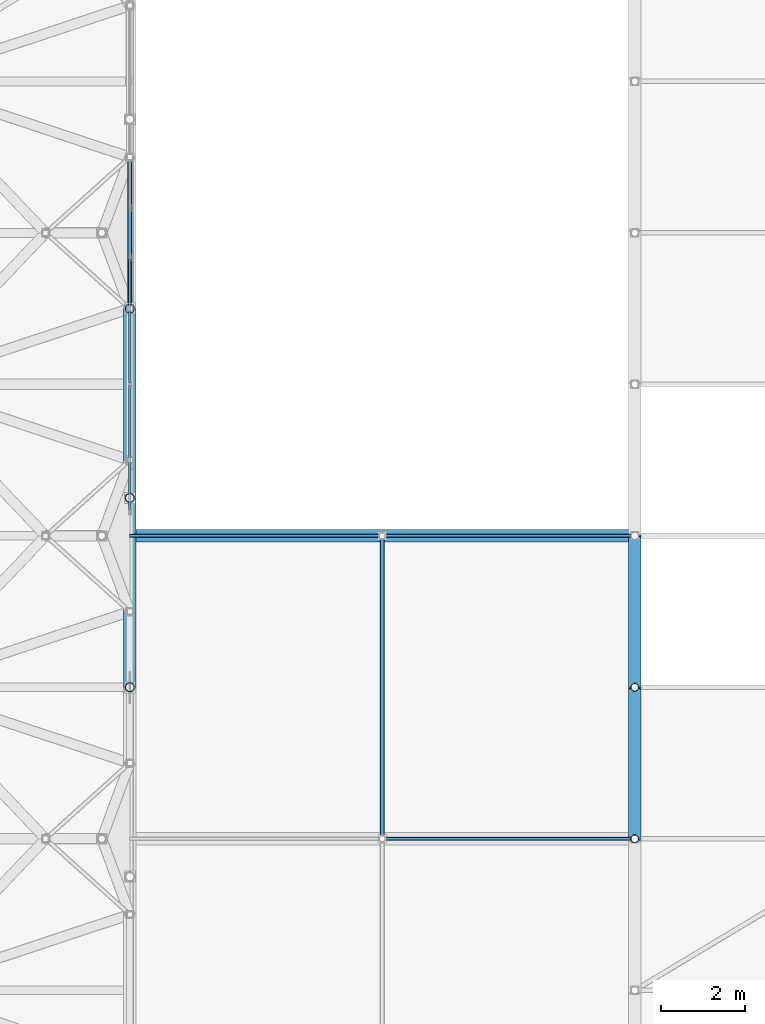
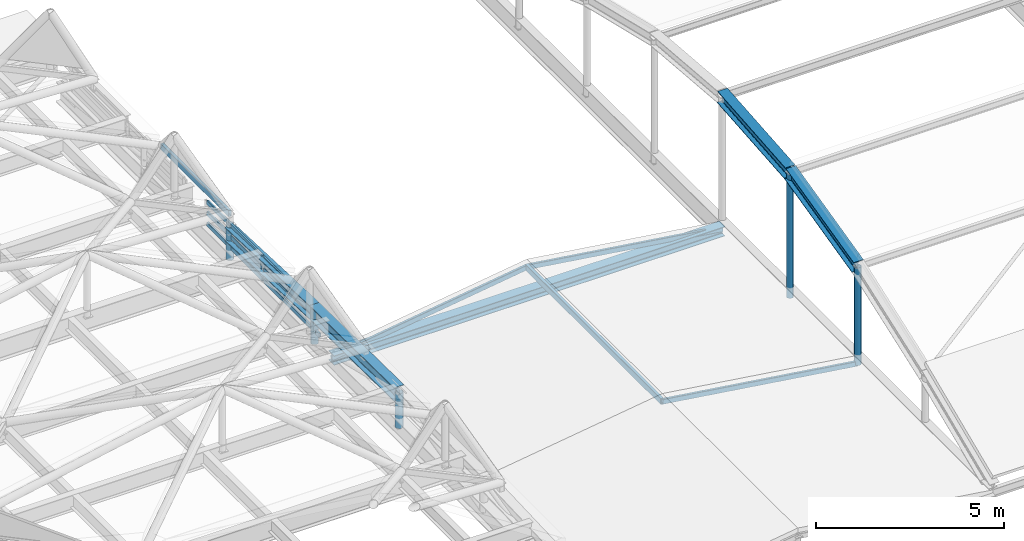
# One storey, part 146 of 239: 14 members, 7 beams, 1 element without a shape of its own.
"""IFC4 building model written with IfcOpenShell, lengths in metres."""

from ifc_helpers import new_model, si_unit, direction, frame, origin, origin_2d, place, context, subcontext, project, spatial, hollow_rectangle, hollow_circle, i_section, extrude, material, layer, layer_set, material_profile, profile_set, type_object, element, aggregate, save


model = new_model("IFC4")

# Units and contexts
model_context = context("Model", 3, precision=1e-05, world=origin(), true_north=direction((0.0, 1.0)))
body_context = subcontext(model_context, "Body", "Model", "MODEL_VIEW")
ifc_project = project(units=[si_unit("LENGTHUNIT", "METRE"), si_unit("AREAUNIT", "SQUARE_METRE"), si_unit("VOLUMEUNIT", "CUBIC_METRE"), si_unit("PLANEANGLEUNIT", "RADIAN"), si_unit("MASSUNIT", "GRAM", prefix="KILO")], contexts=[model_context])

# Site, building, storey
site_placement = place(None, origin())
site = spatial("IfcSite", under=ifc_project, at=site_placement, CompositionType="ELEMENT")
building_placement = place(site_placement, origin())
building = spatial("IfcBuilding", under=site, at=building_placement, Name="Dunvalen Ferry Terminal", CompositionType="ELEMENT")
storey_placement = place(building_placement, frame((0.0, 0.0, 9.840087890625)))
storey = spatial("IfcBuildingStorey", under=building, at=storey_placement, Name="L02", CompositionType="ELEMENT", Elevation=9.840087890625)

# Curtain wall, members
ifc_material_1 = material(Name="Anodised marine aluminium and solar-control glazing", Category="aluminium")
ifc_layer = layer(ifc_material_1, 0.219970703125, Name="Anodised marine aluminium and solar-control glazing")
ifc_layer_set = layer_set([ifc_layer], Name="Anodised marine aluminium and solar-control glazing")
curtain_wall_type = type_object("IfcCurtainWallType", Name="ENV-CW-SYS-04", PredefinedType="NOTDEFINED", material=ifc_layer_set)
curtain_wall_placement = place(storey_placement, origin())
curtain_wall = element("IfcCurtainWall", 1, at=curtain_wall_placement, inside=storey, type_object=curtain_wall_type, Name="L02 Curtain Wall CW-V1E-CLR-04", PredefinedType="NOTDEFINED")
ifc_material_2 = material(Name="Anodised marine aluminium EN AW-6063 T6", Category="aluminium")
ifc_material_profile_1 = material_profile(ifc_material_2, hollow_rectangle(XDim=0.06005859375, YDim=0.135009765625, WallThickness=0.003173828125, InnerFilletRadius=0.003173828125, OuterFilletRadius=0.00634765625, at=origin_2d()), Name="Anodised marine aluminium EN AW-6063 T6")
ifc_profile_set_1 = profile_set([ifc_material_profile_1], Name="Anodised marine aluminium EN AW-6063 T6")
member_type_1 = type_object("IfcMemberType", Name="ENV-CW-TRN-2", PredefinedType="USERDEFINED", material=ifc_profile_set_1)
member_1_placement = place(storey_placement, frame((96.0, 72.6201171875, 0.039794921875), z_axis=(0.0, 1.0, 0.0), x_axis=(-1.0, 0.0, 0.0)))
member_1 = element("IfcMember", 2, at=member_1_placement, type_object=member_type_1, Name="CW-04 transom 1.1", ObjectType="TRANSOM", PredefinedType="USERDEFINED", context=body_context, shape_type="SweptSolid", body=[
    extrude(hollow_rectangle(XDim=0.06005859375, YDim=0.135009765625, WallThickness=0.003173828125, InnerFilletRadius=0.003173828125, OuterFilletRadius=0.00634765625, at=origin_2d()), origin(), (0.0, 0.0, 1.0), 2.949951171875),
])
member_2_placement = place(storey_placement, frame((96.0, 72.6201171875, 0.39501953125), z_axis=(0.0, 1.0, 0.0), x_axis=(-1.0, 0.0, 0.0)))
member_2 = element("IfcMember", 3, at=member_2_placement, type_object=member_type_1, Name="CW-04 transom 1.2", ObjectType="TRANSOM", PredefinedType="USERDEFINED", context=body_context, shape_type="SweptSolid", body=[
    extrude(hollow_rectangle(XDim=0.06005859375, YDim=0.135009765625, WallThickness=0.003173828125, InnerFilletRadius=0.003173828125, OuterFilletRadius=0.00634765625, at=origin_2d()), origin(), (0.0, 0.0, 1.0), 2.949951171875),
])
member_3_placement = place(storey_placement, frame((96.0, 72.6201171875, 0.75), z_axis=(0.0, 1.0, 0.0), x_axis=(-1.0, 0.0, 0.0)))
member_3 = element("IfcMember", 4, at=member_3_placement, type_object=member_type_1, Name="CW-04 transom 1.3", ObjectType="TRANSOM", PredefinedType="USERDEFINED", context=body_context, shape_type="SweptSolid", body=[
    extrude(hollow_rectangle(XDim=0.06005859375, YDim=0.135009765625, WallThickness=0.003173828125, InnerFilletRadius=0.003173828125, OuterFilletRadius=0.00634765625, at=origin_2d()), origin(), (0.0, 0.0, 1.0), 2.949951171875),
])
member_4_placement = place(storey_placement, frame((96.0, 75.6298828125, 0.039794921875), z_axis=(0.0, 1.0, 0.0), x_axis=(-1.0, 0.0, 0.0)))
member_4 = element("IfcMember", 5, at=member_4_placement, type_object=member_type_1, Name="CW-04 transom 2.1", ObjectType="TRANSOM", PredefinedType="USERDEFINED", context=body_context, shape_type="SweptSolid", body=[
    extrude(hollow_rectangle(XDim=0.06005859375, YDim=0.135009765625, WallThickness=0.003173828125, InnerFilletRadius=0.003173828125, OuterFilletRadius=0.00634765625, at=origin_2d()), origin(), (0.0, 0.0, 1.0), 2.9501953125),
])
member_5_placement = place(storey_placement, frame((96.0, 75.6298828125, 0.39501953125), z_axis=(0.0, 1.0, 0.0), x_axis=(-1.0, 0.0, 0.0)))
member_5 = element("IfcMember", 6, at=member_5_placement, type_object=member_type_1, Name="CW-04 transom 2.2", ObjectType="TRANSOM", PredefinedType="USERDEFINED", context=body_context, shape_type="SweptSolid", body=[
    extrude(hollow_rectangle(XDim=0.06005859375, YDim=0.135009765625, WallThickness=0.003173828125, InnerFilletRadius=0.003173828125, OuterFilletRadius=0.00634765625, at=origin_2d()), origin(), (0.0, 0.0, 1.0), 2.9501953125),
])
member_6_placement = place(storey_placement, frame((96.0, 75.6298828125, 0.75), z_axis=(0.0, 1.0, 0.0), x_axis=(-1.0, 0.0, 0.0)))
member_6 = element("IfcMember", 7, at=member_6_placement, type_object=member_type_1, Name="CW-04 transom 2.3", ObjectType="TRANSOM", PredefinedType="USERDEFINED", context=body_context, shape_type="SweptSolid", body=[
    extrude(hollow_rectangle(XDim=0.06005859375, YDim=0.135009765625, WallThickness=0.003173828125, InnerFilletRadius=0.003173828125, OuterFilletRadius=0.00634765625, at=origin_2d()), origin(), (0.0, 0.0, 1.0), 2.9501953125),
])
aggregate(curtain_wall, [member_1, member_2, member_3, member_4, member_5, member_6])

# Beams
ifc_material_3 = material(Name="Steel S355", Category="steel")
ifc_material_profile_2 = material_profile(ifc_material_3, i_section(OverallWidth=0.300048828125, OverallDepth=0.31005859375, WebThickness=0.009033203125, FlangeThickness=0.015380859375, FilletRadius=0.027099609375, at=origin_2d()), Name="Steel S355")
ifc_profile_set_2 = profile_set([ifc_material_profile_2], Name="Steel S355")
beam_type_1 = type_object("IfcBeamType", Name="STR-BM-HEA320", PredefinedType="SPANDREL", material=ifc_profile_set_2)
beam_1_placement = place(storey_placement, frame((96.0, 72.0, -0.320068359375), z_axis=(1.0, 0.0, 0.0), x_axis=(0.0, 1.0, 0.0)))
element("IfcBeam", 8, at=beam_1_placement, inside=storey, type_object=beam_type_1, Name="Central Covered Passage Tie Beam 03", PredefinedType="SPANDREL", context=body_context, shape_type="SweptSolid", body=[
    extrude(i_section(OverallWidth=0.300048828125, OverallDepth=0.31005859375, WebThickness=0.009033203125, FlangeThickness=0.015380859375, FilletRadius=0.027099609375, at=origin_2d()), origin(), (0.0, 0.0, 1.0), 12.0),
])
ifc_material_profile_3 = material_profile(ifc_material_3, i_section(OverallWidth=0.300048828125, OverallDepth=0.389892578125, WebThickness=0.010986328125, FlangeThickness=0.01904296875, FilletRadius=0.027099609375, at=origin_2d()), Name="Steel S355")
ifc_profile_set_3 = profile_set([ifc_material_profile_3], Name="Steel S355")
beam_type_2 = type_object("IfcBeamType", Name="STR-BM-HEA400", PredefinedType="BEAM", material=ifc_profile_set_3)
beam_2_placement = place(storey_placement, frame((108.0, 64.800048828125, 2.828369140625), z_axis=(0.0, 0.972204462661, 0.234133472154), x_axis=(-1.0, 0.0, 0.0)))
element("IfcBeam", 9, at=beam_2_placement, inside=storey, type_object=beam_type_2, Name="Arrivals Hall Barrel-Vault Arch Rib 01.3", PredefinedType="BEAM", context=body_context, shape_type="SweptSolid", body=[
    extrude(i_section(OverallWidth=0.300048828125, OverallDepth=0.389892578125, WebThickness=0.010986328125, FlangeThickness=0.01904296875, FilletRadius=0.027099609375, at=origin_2d()), origin(), (0.0, 0.0, 1.0), 3.702880859375),
])
beam_3_placement = place(storey_placement, frame((108.0, 68.39990234375, 3.6953125), z_axis=(0.0, 0.996437742755, 0.084331635898), x_axis=(-1.0, 0.0, 0.0)))
element("IfcBeam", 10, at=beam_3_placement, inside=storey, type_object=beam_type_2, Name="Arrivals Hall Barrel-Vault Arch Rib 01.4", PredefinedType="BEAM", context=body_context, shape_type="SweptSolid", body=[
    extrude(i_section(OverallWidth=0.300048828125, OverallDepth=0.389892578125, WebThickness=0.010986328125, FlangeThickness=0.01904296875, FilletRadius=0.027099609375, at=origin_2d()), origin(), (0.0, 0.0, 1.0), 3.613037109375),
])
ifc_material_profile_4 = material_profile(ifc_material_3, i_section(OverallWidth=0.300048828125, OverallDepth=0.449951171875, WebThickness=0.013916015625, FlangeThickness=0.02587890625, FilletRadius=0.027099609375, at=origin_2d()), Name="Steel S355")
ifc_profile_set_4 = profile_set([ifc_material_profile_4], Name="Steel S355")
beam_type_3 = type_object("IfcBeamType", Name="STR-BM-HEB450", PredefinedType="BEAM", material=ifc_profile_set_4)
beam_4_placement = place(storey_placement, frame((96.0, 68.39990234375, 0.719970703125), z_axis=(0.0, 0.999907293085, -0.01361635908), x_axis=(-1.0, 0.0, 0.0)))
element("IfcBeam", 11, at=beam_4_placement, inside=storey, type_object=beam_type_3, Name="Departure Hall Tied-Arch Rib 08.5", PredefinedType="BEAM", context=body_context, shape_type="SweptSolid", body=[
    extrude(i_section(OverallWidth=0.300048828125, OverallDepth=0.449951171875, WebThickness=0.013916015625, FlangeThickness=0.02587890625, FilletRadius=0.027099609375, at=origin_2d()), origin(), (0.0, 0.0, 1.0), 4.50048828125),
])
beam_5_placement = place(storey_placement, frame((96.0, 72.89990234375, 0.65869140625), z_axis=(0.0, 0.999166564808, -0.040818816368), x_axis=(-1.0, 0.0, 0.0)))
element("IfcBeam", 12, at=beam_5_placement, inside=storey, type_object=beam_type_3, Name="Departure Hall Tied-Arch Rib 08.6", PredefinedType="BEAM", context=body_context, shape_type="SweptSolid", body=[
    extrude(i_section(OverallWidth=0.300048828125, OverallDepth=0.449951171875, WebThickness=0.013916015625, FlangeThickness=0.02587890625, FilletRadius=0.027099609375, at=origin_2d()), origin(), (0.0, 0.0, 1.0), 4.503662109375),
])
ifc_material_profile_5 = material_profile(ifc_material_3, hollow_rectangle(XDim=0.10009765625, YDim=0.199951171875, WallThickness=0.008056640625, InnerFilletRadius=0.008056640625, OuterFilletRadius=0.01611328125, at=origin_2d()), Name="Steel S355")
ifc_profile_set_5 = profile_set([ifc_material_profile_5], Name="Steel S355")
beam_type_4 = type_object("IfcBeamType", Name="STR-BM-RHS200", PredefinedType="BEAM", material=ifc_profile_set_5)
beam_6_placement = place(storey_placement, frame((96.0, 77.39990234375, 1.099853515625), z_axis=(0.0, 1.0, 0.0), x_axis=(-1.0, 0.0, 0.0)))
element("IfcBeam", 13, at=beam_6_placement, inside=storey, type_object=beam_type_4, Name="HEX-49 Hexagonal Rim Beam 3", PredefinedType="BEAM", context=body_context, shape_type="SweptSolid", body=[
    extrude(hollow_rectangle(XDim=0.10009765625, YDim=0.199951171875, WallThickness=0.008056640625, InnerFilletRadius=0.008056640625, OuterFilletRadius=0.01611328125, at=origin_2d()), origin(), (0.0, 0.0, 1.0), 3.60009765625),
])
beam_7_placement = place(storey_placement, frame((102.0, 64.800048828125, 0.539794921875), z_axis=(0.0, 1.0, 0.0), x_axis=(-1.0, 0.0, 0.0)))
element("IfcBeam", 14, at=beam_7_placement, inside=storey, type_object=beam_type_4, Name="Central Covered Passage Longitudinal Beam", PredefinedType="BEAM", context=body_context, shape_type="SweptSolid", body=[
    extrude(hollow_rectangle(XDim=0.10009765625, YDim=0.199951171875, WallThickness=0.008056640625, InnerFilletRadius=0.008056640625, OuterFilletRadius=0.01611328125, at=origin_2d()), origin(), (0.0, 0.0, 1.0), 7.199951171875),
])

# Members
ifc_material_profile_6 = material_profile(ifc_material_3, hollow_circle(Radius=0.096923828125, WallThickness=0.008056640625, at=origin_2d()), Name="Steel S355")
ifc_profile_set_6 = profile_set([ifc_material_profile_6], Name="Steel S355")
member_type_2 = type_object("IfcMemberType", Name="STR-MB-CHS193", PredefinedType="STRUT", material=ifc_profile_set_6)
member_7_placement = place(storey_placement, frame((108.0, 64.800048828125, -0.340087890625), z_axis=(0.0, 0.0, 1.0), x_axis=(1.0, 0.0, 0.0)))
element("IfcMember", 15, at=member_7_placement, inside=storey, type_object=member_type_2, Name="Arrivals Hall Vault Hanger 01.2", PredefinedType="STRUT", context=body_context, shape_type="SweptSolid", body=[
    extrude(hollow_circle(Radius=0.096923828125, WallThickness=0.008056640625, at=origin_2d()), origin(), (0.0, 0.0, 1.0), 3.16845703125),
])
member_8_placement = place(storey_placement, frame((108.0, 68.39990234375, -0.340087890625), z_axis=(0.0, 0.0, 1.0), x_axis=(1.0, 0.0, 0.0)))
element("IfcMember", 16, at=member_8_placement, inside=storey, type_object=member_type_2, Name="Arrivals Hall Vault Hanger 01.3", PredefinedType="STRUT", context=body_context, shape_type="SweptSolid", body=[
    extrude(hollow_circle(Radius=0.096923828125, WallThickness=0.008056640625, at=origin_2d()), origin(), (0.0, 0.0, 1.0), 4.035400390625),
])
ifc_material_profile_7 = material_profile(ifc_material_3, hollow_circle(Radius=0.109619140625, WallThickness=0.010009765625, at=origin_2d()), Name="Steel S355")
ifc_profile_set_7 = profile_set([ifc_material_profile_7], Name="Steel S355")
member_type_3 = type_object("IfcMemberType", Name="STR-MB-CHS219", PredefinedType="STRUT", material=ifc_profile_set_7)
for number, where, z_axis, x_axis, name in (
    (17, (96.0, 68.39990234375, -0.360107421875), (0.0, 0.0, 1.0), (1.0, 0.0, 0.0), "Departure Hall Arch Spandrel Strut 08.4"),
    (18, (96.0, 72.89990234375, -0.360107421875), (0.0, 0.0, 1.0), (1.0, 0.0, 0.0), "Departure Hall Arch Spandrel Strut 08.5"),
    (19, (96.0, 77.39990234375, -0.360107421875), (0.0, 0.0, 1.0), (1.0, 0.0, 0.0), "Departure Hall Arch Spandrel Strut 08.6"),
):
    element("IfcMember", number, at=place(storey_placement, frame(where, z_axis=z_axis, x_axis=x_axis)), inside=storey, type_object=member_type_3, Name=name, PredefinedType="STRUT", context=body_context, shape_type="SweptSolid", body=[
        extrude(hollow_circle(Radius=0.109619140625, WallThickness=0.010009765625, at=origin_2d()), origin(), (0.0, 0.0, 1.0), 1.130126953125),
    ])
ifc_material_profile_8 = material_profile(ifc_material_3, hollow_rectangle(XDim=0.080078125, YDim=0.159912109375, WallThickness=0.00634765625, InnerFilletRadius=0.00634765625, OuterFilletRadius=0.0126953125, at=origin_2d()), Name="Steel S355")
ifc_profile_set_8 = profile_set([ifc_material_profile_8], Name="Steel S355")
member_type_4 = type_object("IfcMemberType", Name="STR-MB-RHS160", PredefinedType="RAFTER", material=ifc_profile_set_8)
for number, where, z_axis, x_axis, name in (
    (20, (108.0, 64.800048828125, -0.320068359375), (-0.989886561352, 0.0, 0.141861184452), (0.0, -1.0, 0.0), "Central Covered Passage East Rafter 02"),
    (21, (96.0, 72.0, -0.320068359375), (0.989886561352, 0.0, 0.141861184452), (0.0, 1.0, 0.0), "Central Covered Passage West Rafter 03"),
    (22, (108.0, 72.0, -0.320068359375), (-0.989886561352, 0.0, 0.141861184452), (0.0, -1.0, 0.0), "Central Covered Passage East Rafter 03"),
):
    element("IfcMember", number, at=place(storey_placement, frame(where, z_axis=z_axis, x_axis=x_axis)), inside=storey, type_object=member_type_4, Name=name, PredefinedType="RAFTER", context=body_context, shape_type="SweptSolid", body=[
        extrude(hollow_rectangle(XDim=0.080078125, YDim=0.159912109375, WallThickness=0.00634765625, InnerFilletRadius=0.00634765625, OuterFilletRadius=0.0126953125, at=origin_2d()), origin(), (0.0, 0.0, 1.0), 6.061279296875),
    ])

save(model, "model.ifc")
